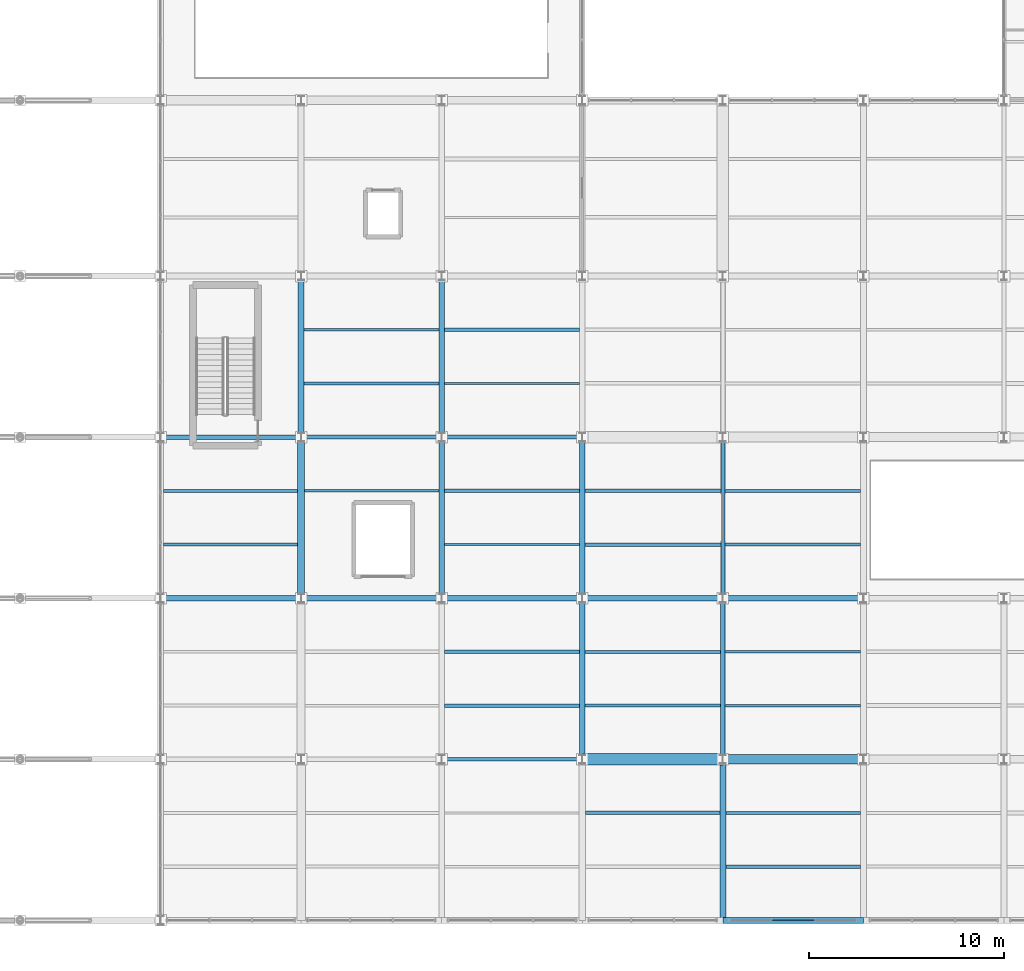
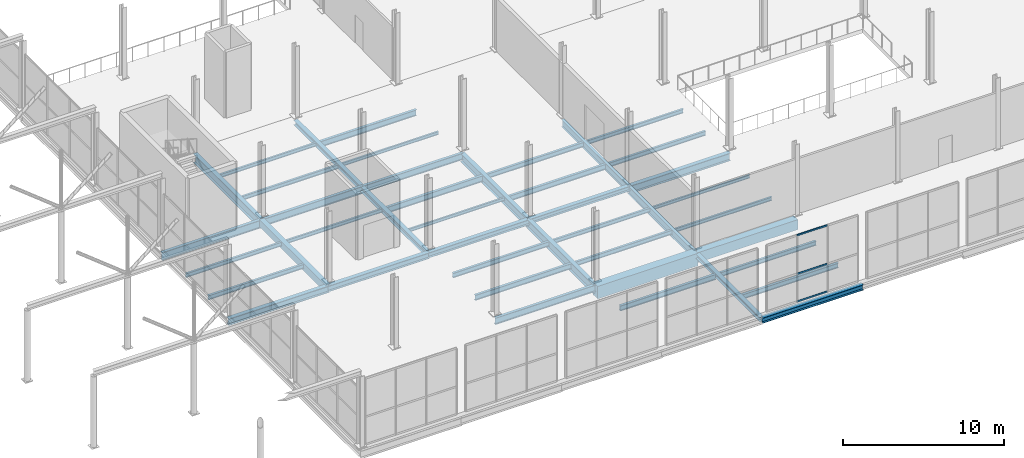
# One storey, part 32 of 147: 43 beams, 3 members, 1 element without a shape of its own.
"""IFC4 building model written with IfcOpenShell, lengths in metres."""

from ifc_helpers import new_model, si_unit, direction, frame, origin, origin_2d, place, context, subcontext, project, spatial, rectangle, hollow_rectangle, i_section, extrude, material, layer, layer_set, material_profile, profile_set, type_object, element, aggregate, save


model = new_model("IFC4")

# Units and contexts
model_context = context("Model", 3, precision=1e-05, world=origin(), true_north=direction((0.0, 1.0)))
body_context = subcontext(model_context, "Body", "Model", "MODEL_VIEW")
ifc_project = project(units=[si_unit("LENGTHUNIT", "METRE"), si_unit("AREAUNIT", "SQUARE_METRE"), si_unit("VOLUMEUNIT", "CUBIC_METRE"), si_unit("PLANEANGLEUNIT", "RADIAN"), si_unit("MASSUNIT", "GRAM", prefix="KILO")], contexts=[model_context])

# Site, building, storey
site_placement = place(None, origin())
site = spatial("IfcSite", under=ifc_project, at=site_placement, CompositionType="ELEMENT")
building_placement = place(site_placement, origin())
building = spatial("IfcBuilding", under=site, at=building_placement, Name="Sundgate Opera House", CompositionType="ELEMENT")
storey_placement = place(building_placement, frame((0.0, 0.0, 6.0)))
storey = spatial("IfcBuildingStorey", under=building, at=storey_placement, Name="L01", CompositionType="ELEMENT", Elevation=6.0)

# Beams
ifc_material_1 = material(Name="Steel S355J2", Category="steel")
ifc_material_profile_1 = material_profile(ifc_material_1, i_section(OverallWidth=0.300048828125, OverallDepth=0.330078125, WebThickness=0.009521484375, FlangeThickness=0.0166015625, at=origin_2d()), Name="HEA 340")
ifc_profile_set_1 = profile_set([ifc_material_profile_1], Name="Steel S355J2")
beam_type_1 = type_object("IfcBeamType", Name="BM-GR-HEA340", PredefinedType="BEAM", material=ifc_profile_set_1)
beam_1_placement = place(storey_placement, frame((124.199951171875, 0.0, -0.465087890625), z_axis=(0.0, 1.0, 0.0), x_axis=(-1.0, 0.0, 0.0)))
element("IfcBeam", 1, at=beam_1_placement, inside=storey, type_object=beam_type_1, Name="L01 Primary N-S Girder B1195", PredefinedType="BEAM", context=body_context, shape_type="SweptSolid", body=[
    extrude(i_section(OverallWidth=0.300048828125, OverallDepth=0.330078125, WebThickness=0.009521484375, FlangeThickness=0.0166015625, at=origin_2d()), origin(), (0.0, 0.0, 1.0), 8.25),
])
ifc_material_2 = material(Name="Steel S355J2", Category="steel")
ifc_material_profile_2 = material_profile(ifc_material_2, i_section(OverallWidth=0.300048828125, OverallDepth=0.35009765625, WebThickness=0.010009765625, FlangeThickness=0.017578125, at=origin_2d()), Name="HEA 360")
ifc_profile_set_2 = profile_set([ifc_material_profile_2], Name="Steel S355J2")
beam_type_2 = type_object("IfcBeamType", Name="BM-GR-HEA360", PredefinedType="BEAM", material=ifc_profile_set_2)
beam_2_placement = place(storey_placement, frame((109.800048828125, 24.75, -0.47509765625), z_axis=(0.0, 1.0, 0.0), x_axis=(-1.0, 0.0, 0.0)))
element("IfcBeam", 2, at=beam_2_placement, inside=storey, type_object=beam_type_2, Name="L01 Primary N-S Girder B1172", PredefinedType="BEAM", context=body_context, shape_type="SweptSolid", body=[
    extrude(i_section(OverallWidth=0.300048828125, OverallDepth=0.35009765625, WebThickness=0.010009765625, FlangeThickness=0.017578125, at=origin_2d()), origin(), (0.0, 0.0, 1.0), 8.25),
])
ifc_material_3 = material(Name="Steel S355J2", Category="steel")
ifc_material_profile_3 = material_profile(ifc_material_3, i_section(OverallWidth=0.300048828125, OverallDepth=0.389892578125, WebThickness=0.010986328125, FlangeThickness=0.01904296875, at=origin_2d()), Name="HEA 400")
ifc_profile_set_3 = profile_set([ifc_material_profile_3], Name="Steel S355J2")
beam_type_3 = type_object("IfcBeamType", Name="BM-GR-HEA400", PredefinedType="BEAM", material=ifc_profile_set_3)
beam_3_placement = place(storey_placement, frame((109.800048828125, 16.5, -0.4951171875), z_axis=(0.0, 1.0, 0.0), x_axis=(-1.0, 0.0, 0.0)))
element("IfcBeam", 3, at=beam_3_placement, inside=storey, type_object=beam_type_3, Name="L01 Primary N-S Girder B1171", PredefinedType="BEAM", context=body_context, shape_type="SweptSolid", body=[
    extrude(i_section(OverallWidth=0.300048828125, OverallDepth=0.389892578125, WebThickness=0.010986328125, FlangeThickness=0.01904296875, at=origin_2d()), origin(), (0.0, 0.0, 1.0), 8.25),
])
ifc_material_4 = material(Name="Steel S355J2", Category="steel")
ifc_material_profile_4 = material_profile(ifc_material_4, i_section(OverallWidth=0.300048828125, OverallDepth=0.590087890625, WebThickness=0.012939453125, FlangeThickness=0.02490234375, at=origin_2d()), Name="HEA 600")
ifc_profile_set_4 = profile_set([ifc_material_profile_4], Name="Steel S355J2")
beam_type_4 = type_object("IfcBeamType", Name="BM-GR-HEA600", PredefinedType="BEAM", material=ifc_profile_set_4)
beam_4_placement = place(storey_placement, frame((124.199951171875, 16.5, -0.594970703125), z_axis=(1.0, 0.0, 0.0), x_axis=(0.0, 1.0, 0.0)))
element("IfcBeam", 4, at=beam_4_placement, inside=storey, type_object=beam_type_4, Name="L01 Primary E-W Girder B1300", PredefinedType="BEAM", context=body_context, shape_type="SweptSolid", body=[
    extrude(i_section(OverallWidth=0.300048828125, OverallDepth=0.590087890625, WebThickness=0.012939453125, FlangeThickness=0.02490234375, at=origin_2d()), origin(), (0.0, 0.0, 1.0), 7.199951171875),
])
ifc_material_5 = material(Name="Steel S355J2", Category="steel")
ifc_material_profile_5 = material_profile(ifc_material_5, i_section(OverallWidth=0.300048828125, OverallDepth=0.360107421875, WebThickness=0.012451171875, FlangeThickness=0.0224609375, at=origin_2d()), Name="HEB 360")
ifc_profile_set_5 = profile_set([ifc_material_profile_5], Name="Steel S355J2")
beam_type_5 = type_object("IfcBeamType", Name="BM-GR-HEB360", PredefinedType="BEAM", material=ifc_profile_set_5)
beam_5_placement = place(storey_placement, frame((117.0, 16.5, -0.47998046875), z_axis=(1.0, 0.0, 0.0), x_axis=(0.0, 1.0, 0.0)))
element("IfcBeam", 5, at=beam_5_placement, inside=storey, type_object=beam_type_5, Name="L01 Primary E-W Girder B1299", PredefinedType="BEAM", context=body_context, shape_type="SweptSolid", body=[
    extrude(i_section(OverallWidth=0.300048828125, OverallDepth=0.360107421875, WebThickness=0.012451171875, FlangeThickness=0.0224609375, at=origin_2d()), origin(), (0.0, 0.0, 1.0), 7.199951171875),
])
ifc_material_6 = material(Name="Steel S355J2", Category="steel")
ifc_material_profile_6 = material_profile(ifc_material_6, i_section(OverallWidth=0.300048828125, OverallDepth=0.39990234375, WebThickness=0.013427734375, FlangeThickness=0.02392578125, at=origin_2d()), Name="HEB 400")
ifc_profile_set_6 = profile_set([ifc_material_profile_6], Name="Steel S355J2")
beam_type_6 = type_object("IfcBeamType", Name="BM-GR-HEB400", PredefinedType="BEAM", material=ifc_profile_set_6)
for number, where, z_axis, x_axis, name in (
    (6, (124.199951171875, 0.0, -0.5), (1.0, 0.0, 0.0), (0.0, 1.0, 0.0), "L01 Primary E-W Girder B1276"),
    (7, (109.800048828125, 16.5, -0.5), (1.0, 0.0, 0.0), (0.0, 1.0, 0.0), "L01 Primary E-W Girder B1298"),
):
    element("IfcBeam", number, at=place(storey_placement, frame(where, z_axis=z_axis, x_axis=x_axis)), inside=storey, type_object=beam_type_6, Name=name, PredefinedType="BEAM", context=body_context, shape_type="SweptSolid", body=[
        extrude(i_section(OverallWidth=0.300048828125, OverallDepth=0.39990234375, WebThickness=0.013427734375, FlangeThickness=0.02392578125, at=origin_2d()), origin(), (0.0, 0.0, 1.0), 7.199951171875),
    ])
ifc_material_7 = material(Name="Steel S355J2", Category="steel")
ifc_material_profile_7 = material_profile(ifc_material_7, i_section(OverallWidth=0.300048828125, OverallDepth=0.449951171875, WebThickness=0.013916015625, FlangeThickness=0.02587890625, at=origin_2d()), Name="HEB 450")
ifc_profile_set_7 = profile_set([ifc_material_profile_7], Name="Steel S355J2")
beam_type_7 = type_object("IfcBeamType", Name="BM-GR-HEB450", PredefinedType="BEAM", material=ifc_profile_set_7)
beam_6_placement = place(storey_placement, frame((102.60009765625, 16.5, -0.52490234375), z_axis=(1.0, 0.0, 0.0), x_axis=(0.0, 1.0, 0.0)))
element("IfcBeam", 8, at=beam_6_placement, inside=storey, type_object=beam_type_7, Name="L01 Primary E-W Girder B1297", PredefinedType="BEAM", context=body_context, shape_type="SweptSolid", body=[
    extrude(i_section(OverallWidth=0.300048828125, OverallDepth=0.449951171875, WebThickness=0.013916015625, FlangeThickness=0.02587890625, at=origin_2d()), origin(), (0.0, 0.0, 1.0), 7.199951171875),
])
ifc_material_8 = material(Name="Steel S355J2", Category="steel")
ifc_material_profile_8 = material_profile(ifc_material_8, i_section(OverallWidth=0.300048828125, OverallDepth=0.5, WebThickness=0.014404296875, FlangeThickness=0.028076171875, at=origin_2d()), Name="HEB 500")
ifc_profile_set_8 = profile_set([ifc_material_profile_8], Name="Steel S355J2")
beam_type_8 = type_object("IfcBeamType", Name="BM-GR-HEB500", PredefinedType="BEAM", material=ifc_profile_set_8)
beam_7_placement = place(storey_placement, frame((95.39990234375, 16.5, -0.550048828125), z_axis=(1.0, 0.0, 0.0), x_axis=(0.0, 1.0, 0.0)))
element("IfcBeam", 9, at=beam_7_placement, inside=storey, type_object=beam_type_8, Name="L01 Primary E-W Girder B1296", PredefinedType="BEAM", context=body_context, shape_type="SweptSolid", body=[
    extrude(i_section(OverallWidth=0.300048828125, OverallDepth=0.5, WebThickness=0.014404296875, FlangeThickness=0.028076171875, at=origin_2d()), origin(), (0.0, 0.0, 1.0), 7.2001953125),
])
ifc_material_9 = material(Name="Steel S355J2", Category="steel")
ifc_material_profile_9 = material_profile(ifc_material_9, i_section(OverallWidth=0.300048828125, OverallDepth=0.64990234375, WebThickness=0.01611328125, FlangeThickness=0.031005859375, at=origin_2d()), Name="HEB 650")
ifc_profile_set_9 = profile_set([ifc_material_profile_9], Name="Steel S355J2")
beam_type_9 = type_object("IfcBeamType", Name="BM-GR-HEB650", PredefinedType="BEAM", material=ifc_profile_set_9)
beam_8_placement = place(storey_placement, frame((117.0, 16.5, -0.625), z_axis=(0.0, 1.0, 0.0), x_axis=(-1.0, 0.0, 0.0)))
element("IfcBeam", 10, at=beam_8_placement, inside=storey, type_object=beam_type_9, Name="L01 Primary N-S Girder B1183", PredefinedType="BEAM", context=body_context, shape_type="SweptSolid", body=[
    extrude(i_section(OverallWidth=0.300048828125, OverallDepth=0.64990234375, WebThickness=0.01611328125, FlangeThickness=0.031005859375, at=origin_2d()), origin(), (0.0, 0.0, 1.0), 8.25),
])
ifc_material_10 = material(Name="Steel S355J2", Category="steel")
ifc_material_profile_10 = material_profile(ifc_material_10, i_section(OverallWidth=0.300048828125, OverallDepth=0.699951171875, WebThickness=0.01708984375, FlangeThickness=0.031982421875, at=origin_2d()), Name="HEB 700")
ifc_profile_set_10 = profile_set([ifc_material_profile_10], Name="Steel S355J2")
beam_type_10 = type_object("IfcBeamType", Name="BM-GR-HEB700", PredefinedType="BEAM", material=ifc_profile_set_10)
for number, where, z_axis, x_axis, name in (
    (11, (102.60009765625, 24.75, -0.64990234375), (0.0, 1.0, 0.0), (-1.0, 0.0, 0.0), "L01 Primary N-S Girder B1160"),
    (12, (117.0, 8.25, -0.64990234375), (0.0, 1.0, 0.0), (-1.0, 0.0, 0.0), "L01 Primary N-S Girder B1182"),
):
    element("IfcBeam", number, at=place(storey_placement, frame(where, z_axis=z_axis, x_axis=x_axis)), inside=storey, type_object=beam_type_10, Name=name, PredefinedType="BEAM", context=body_context, shape_type="SweptSolid", body=[
        extrude(i_section(OverallWidth=0.300048828125, OverallDepth=0.699951171875, WebThickness=0.01708984375, FlangeThickness=0.031982421875, at=origin_2d()), origin(), (0.0, 0.0, 1.0), 8.25),
    ])
ifc_material_11 = material(Name="Steel S355J2", Category="steel")
ifc_material_profile_11 = material_profile(ifc_material_11, i_section(OverallWidth=0.199951171875, OverallDepth=0.5, WebThickness=0.01025390625, FlangeThickness=0.01611328125, at=origin_2d()), Name="IPE 500")
ifc_profile_set_11 = profile_set([ifc_material_profile_11], Name="Steel S355J2")
beam_type_11 = type_object("IfcBeamType", Name="BM-GR-IPE500", PredefinedType="BEAM", material=ifc_profile_set_11)
for number, where, z_axis, x_axis, name in (
    (13, (109.800048828125, 8.25, -0.550048828125), (1.0, 0.0, 0.0), (0.0, 1.0, 0.0), "L01 Primary E-W Girder B1286"),
    (14, (109.800048828125, 24.75, -0.550048828125), (1.0, 0.0, 0.0), (0.0, 1.0, 0.0), "L01 Primary E-W Girder B1308"),
):
    element("IfcBeam", number, at=place(storey_placement, frame(where, z_axis=z_axis, x_axis=x_axis)), inside=storey, type_object=beam_type_11, Name=name, PredefinedType="BEAM", context=body_context, shape_type="SweptSolid", body=[
        extrude(i_section(OverallWidth=0.199951171875, OverallDepth=0.5, WebThickness=0.01025390625, FlangeThickness=0.01611328125, at=origin_2d()), origin(), (0.0, 0.0, 1.0), 7.199951171875),
    ])
ifc_material_12 = material(Name="Steel S355J2", Category="steel")
ifc_material_profile_12 = material_profile(ifc_material_12, i_section(OverallWidth=0.2099609375, OverallDepth=0.550048828125, WebThickness=0.010986328125, FlangeThickness=0.01708984375, at=origin_2d()), Name="IPE 550")
ifc_profile_set_12 = profile_set([ifc_material_profile_12], Name="Steel S355J2")
beam_type_12 = type_object("IfcBeamType", Name="BM-GR-IPE550", PredefinedType="BEAM", material=ifc_profile_set_12)
beam_9_placement = place(storey_placement, frame((124.199951171875, 16.5, -0.574951171875), z_axis=(0.0, 1.0, 0.0), x_axis=(-1.0, 0.0, 0.0)))
element("IfcBeam", 15, at=beam_9_placement, inside=storey, type_object=beam_type_12, Name="L01 Primary N-S Girder B1197", PredefinedType="BEAM", context=body_context, shape_type="SweptSolid", body=[
    extrude(i_section(OverallWidth=0.2099609375, OverallDepth=0.550048828125, WebThickness=0.010986328125, FlangeThickness=0.01708984375, at=origin_2d()), origin(), (0.0, 0.0, 1.0), 8.25),
])
beam_10_placement = place(storey_placement, frame((102.60009765625, 24.75, -0.574951171875), z_axis=(1.0, 0.0, 0.0), x_axis=(0.0, 1.0, 0.0)))
element("IfcBeam", 16, at=beam_10_placement, inside=storey, type_object=beam_type_12, Name="L01 Primary E-W Girder B1307", PredefinedType="BEAM", context=body_context, shape_type="SweptSolid", body=[
    extrude(i_section(OverallWidth=0.2099609375, OverallDepth=0.550048828125, WebThickness=0.010986328125, FlangeThickness=0.01708984375, at=origin_2d()), origin(), (0.0, 0.0, 1.0), 7.199951171875),
])
ifc_material_13 = material(Name="Steel S355J2", Category="steel")
ifc_material_profile_13 = material_profile(ifc_material_13, i_section(OverallWidth=0.219970703125, OverallDepth=0.60009765625, WebThickness=0.011962890625, FlangeThickness=0.01904296875, at=origin_2d()), Name="IPE 600")
ifc_profile_set_13 = profile_set([ifc_material_profile_13], Name="Steel S355J2")
beam_type_13 = type_object("IfcBeamType", Name="BM-GR-IPE600", PredefinedType="BEAM", material=ifc_profile_set_13)
beam_11_placement = place(storey_placement, frame((124.199951171875, 8.25, -0.60009765625), z_axis=(0.0, 1.0, 0.0), x_axis=(-1.0, 0.0, 0.0)))
element("IfcBeam", 17, at=beam_11_placement, inside=storey, type_object=beam_type_13, Name="L01 Primary N-S Girder B1196", PredefinedType="BEAM", context=body_context, shape_type="SweptSolid", body=[
    extrude(i_section(OverallWidth=0.219970703125, OverallDepth=0.60009765625, WebThickness=0.011962890625, FlangeThickness=0.01904296875, at=origin_2d()), origin(), (0.0, 0.0, 1.0), 8.25),
])
beam_12_placement = place(storey_placement, frame((95.39990234375, 24.75, -0.60009765625), z_axis=(1.0, 0.0, 0.0), x_axis=(0.0, 1.0, 0.0)))
element("IfcBeam", 18, at=beam_12_placement, inside=storey, type_object=beam_type_13, Name="L01 Primary E-W Girder B1306", PredefinedType="BEAM", context=body_context, shape_type="SweptSolid", body=[
    extrude(i_section(OverallWidth=0.219970703125, OverallDepth=0.60009765625, WebThickness=0.011962890625, FlangeThickness=0.01904296875, at=origin_2d()), origin(), (0.0, 0.0, 1.0), 7.2001953125),
])
ifc_material_14 = material(Name="Steel S355J2", Category="steel")
ifc_material_profile_14 = material_profile(ifc_material_14, i_section(OverallWidth=0.1201171875, OverallDepth=0.239990234375, WebThickness=0.006103515625, FlangeThickness=0.009765625, at=origin_2d()), Name="IPE 240")
ifc_profile_set_14 = profile_set([ifc_material_profile_14], Name="Steel S355J2")
beam_type_14 = type_object("IfcBeamType", Name="BM-JS-IPE240", PredefinedType="JOIST", material=ifc_profile_set_14)
beam_13_placement = place(storey_placement, frame((124.31005859375, 13.75, -0.419921875), z_axis=(1.0, 0.0, 0.0), x_axis=(0.0, 1.0, 0.0)))
element("IfcBeam", 19, at=beam_13_placement, inside=storey, type_object=beam_type_14, Name="L01 Secondary Floor Joist B1511", PredefinedType="JOIST", context=body_context, shape_type="SweptSolid", body=[
    extrude(i_section(OverallWidth=0.1201171875, OverallDepth=0.239990234375, WebThickness=0.006103515625, FlangeThickness=0.009765625, at=origin_2d()), origin(), (0.0, 0.0, 1.0), 6.93994140625),
])
for number, where, z_axis, x_axis, name in (
    (20, (109.949951171875, 19.25, -0.419921875), (1.0, 0.0, 0.0), (0.0, 1.0, 0.0), "L01 Secondary Floor Joist B1525"),
    (21, (109.949951171875, 27.5, -0.419921875), (1.0, 0.0, 0.0), (0.0, 1.0, 0.0), "L01 Secondary Floor Joist B1539"),
):
    element("IfcBeam", number, at=place(storey_placement, frame(where, z_axis=z_axis, x_axis=x_axis)), inside=storey, type_object=beam_type_14, Name=name, PredefinedType="JOIST", context=body_context, shape_type="SweptSolid", body=[
        extrude(i_section(OverallWidth=0.1201171875, OverallDepth=0.239990234375, WebThickness=0.006103515625, FlangeThickness=0.009765625, at=origin_2d()), origin(), (0.0, 0.0, 1.0), 6.900146484375),
    ])
ifc_material_15 = material(Name="Steel S355J2", Category="steel")
ifc_material_profile_15 = material_profile(ifc_material_15, i_section(OverallWidth=0.135009765625, OverallDepth=0.27001953125, WebThickness=0.006591796875, FlangeThickness=0.01025390625, at=origin_2d()), Name="IPE 270")
ifc_profile_set_15 = profile_set([ifc_material_profile_15], Name="Steel S355J2")
beam_type_15 = type_object("IfcBeamType", Name="BM-JS-IPE270", PredefinedType="JOIST", material=ifc_profile_set_15)
beam_14_placement = place(storey_placement, frame((124.31005859375, 11.0, -0.43505859375), z_axis=(1.0, 0.0, 0.0), x_axis=(0.0, 1.0, 0.0)))
element("IfcBeam", 22, at=beam_14_placement, inside=storey, type_object=beam_type_15, Name="L01 Secondary Floor Joist B1510", PredefinedType="JOIST", context=body_context, shape_type="SweptSolid", body=[
    extrude(i_section(OverallWidth=0.135009765625, OverallDepth=0.27001953125, WebThickness=0.006591796875, FlangeThickness=0.01025390625, at=origin_2d()), origin(), (0.0, 0.0, 1.0), 6.93994140625),
])
beam_15_placement = place(storey_placement, frame((102.77490234375, 22.0, -0.43505859375), z_axis=(1.0, 0.0, 0.0), x_axis=(0.0, 1.0, 0.0)))
element("IfcBeam", 23, at=beam_15_placement, inside=storey, type_object=beam_type_15, Name="L01 Secondary Floor Joist B1524", PredefinedType="JOIST", context=body_context, shape_type="SweptSolid", body=[
    extrude(i_section(OverallWidth=0.135009765625, OverallDepth=0.27001953125, WebThickness=0.006591796875, FlangeThickness=0.01025390625, at=origin_2d()), origin(), (0.0, 0.0, 1.0), 6.875),
])
beam_16_placement = place(storey_placement, frame((102.75, 30.25, -0.43505859375), z_axis=(1.0, 0.0, 0.0), x_axis=(0.0, 1.0, 0.0)))
element("IfcBeam", 24, at=beam_16_placement, inside=storey, type_object=beam_type_15, Name="L01 Secondary Floor Joist B1538", PredefinedType="JOIST", context=body_context, shape_type="SweptSolid", body=[
    extrude(i_section(OverallWidth=0.135009765625, OverallDepth=0.27001953125, WebThickness=0.006591796875, FlangeThickness=0.01025390625, at=origin_2d()), origin(), (0.0, 0.0, 1.0), 6.89990234375),
])
ifc_material_16 = material(Name="Steel S355J2", Category="steel")
ifc_material_profile_16 = material_profile(ifc_material_16, i_section(OverallWidth=0.14990234375, OverallDepth=0.300048828125, WebThickness=0.007080078125, FlangeThickness=0.0107421875, at=origin_2d()), Name="IPE 300")
ifc_profile_set_16 = profile_set([ifc_material_profile_16], Name="Steel S355J2")
beam_type_16 = type_object("IfcBeamType", Name="BM-JS-IPE300", PredefinedType="JOIST", material=ifc_profile_set_16)
beam_17_placement = place(storey_placement, frame((117.14990234375, 13.75, -0.449951171875), z_axis=(1.0, 0.0, 0.0), x_axis=(0.0, 1.0, 0.0)))
element("IfcBeam", 25, at=beam_17_placement, inside=storey, type_object=beam_type_16, Name="L01 Secondary Floor Joist B1509", PredefinedType="JOIST", context=body_context, shape_type="SweptSolid", body=[
    extrude(i_section(OverallWidth=0.14990234375, OverallDepth=0.300048828125, WebThickness=0.007080078125, FlangeThickness=0.0107421875, at=origin_2d()), origin(), (0.0, 0.0, 1.0), 6.940185546875),
])
beam_18_placement = place(storey_placement, frame((95.550048828125, 22.0, -0.449951171875), z_axis=(1.0, 0.0, 0.0), x_axis=(0.0, 1.0, 0.0)))
element("IfcBeam", 26, at=beam_18_placement, inside=storey, type_object=beam_type_16, Name="L01 Secondary Floor Joist B1523", PredefinedType="JOIST", context=body_context, shape_type="SweptSolid", body=[
    extrude(i_section(OverallWidth=0.14990234375, OverallDepth=0.300048828125, WebThickness=0.007080078125, FlangeThickness=0.0107421875, at=origin_2d()), origin(), (0.0, 0.0, 1.0), 6.875),
])
beam_19_placement = place(storey_placement, frame((124.304931640625, 22.0, -0.449951171875), z_axis=(1.0, 0.0, 0.0), x_axis=(0.0, 1.0, 0.0)))
element("IfcBeam", 27, at=beam_19_placement, inside=storey, type_object=beam_type_16, Name="L01 Secondary Floor Joist B1530", PredefinedType="JOIST", context=body_context, shape_type="SweptSolid", body=[
    extrude(i_section(OverallWidth=0.14990234375, OverallDepth=0.300048828125, WebThickness=0.007080078125, FlangeThickness=0.0107421875, at=origin_2d()), origin(), (0.0, 0.0, 1.0), 6.945068359375),
])
beam_20_placement = place(storey_placement, frame((102.75, 27.5, -0.449951171875), z_axis=(1.0, 0.0, 0.0), x_axis=(0.0, 1.0, 0.0)))
element("IfcBeam", 28, at=beam_20_placement, inside=storey, type_object=beam_type_16, Name="L01 Secondary Floor Joist B1537", PredefinedType="JOIST", context=body_context, shape_type="SweptSolid", body=[
    extrude(i_section(OverallWidth=0.14990234375, OverallDepth=0.300048828125, WebThickness=0.007080078125, FlangeThickness=0.0107421875, at=origin_2d()), origin(), (0.0, 0.0, 1.0), 6.89990234375),
])
ifc_material_17 = material(Name="Steel S355J2", Category="steel")
ifc_material_profile_17 = material_profile(ifc_material_17, i_section(OverallWidth=0.159912109375, OverallDepth=0.330078125, WebThickness=0.007568359375, FlangeThickness=0.011474609375, at=origin_2d()), Name="IPE 330")
ifc_profile_set_17 = profile_set([ifc_material_profile_17], Name="Steel S355J2")
beam_type_17 = type_object("IfcBeamType", Name="BM-JS-IPE330", PredefinedType="JOIST", material=ifc_profile_set_17)
beam_21_placement = place(storey_placement, frame((124.35009765625, 5.5, -0.465087890625), z_axis=(1.0, 0.0, 0.0), x_axis=(0.0, 1.0, 0.0)))
element("IfcBeam", 29, at=beam_21_placement, inside=storey, type_object=beam_type_17, Name="L01 Secondary Floor Joist B1487", PredefinedType="JOIST", context=body_context, shape_type="SweptSolid", body=[
    extrude(i_section(OverallWidth=0.159912109375, OverallDepth=0.330078125, WebThickness=0.007568359375, FlangeThickness=0.011474609375, at=origin_2d()), origin(), (0.0, 0.0, 1.0), 6.89990234375),
])
beam_22_placement = place(storey_placement, frame((117.14990234375, 11.0, -0.465087890625), z_axis=(1.0, 0.0, 0.0), x_axis=(0.0, 1.0, 0.0)))
element("IfcBeam", 30, at=beam_22_placement, inside=storey, type_object=beam_type_17, Name="L01 Secondary Floor Joist B1508", PredefinedType="JOIST", context=body_context, shape_type="SweptSolid", body=[
    extrude(i_section(OverallWidth=0.159912109375, OverallDepth=0.330078125, WebThickness=0.007568359375, FlangeThickness=0.011474609375, at=origin_2d()), origin(), (0.0, 0.0, 1.0), 6.940185546875),
])
beam_23_placement = place(storey_placement, frame((95.550048828125, 19.25, -0.465087890625), z_axis=(1.0, 0.0, 0.0), x_axis=(0.0, 1.0, 0.0)))
element("IfcBeam", 31, at=beam_23_placement, inside=storey, type_object=beam_type_17, Name="L01 Secondary Floor Joist B1522", PredefinedType="JOIST", context=body_context, shape_type="SweptSolid", body=[
    extrude(i_section(OverallWidth=0.159912109375, OverallDepth=0.330078125, WebThickness=0.007568359375, FlangeThickness=0.011474609375, at=origin_2d()), origin(), (0.0, 0.0, 1.0), 6.875),
])
beam_24_placement = place(storey_placement, frame((124.304931640625, 19.25, -0.465087890625), z_axis=(1.0, 0.0, 0.0), x_axis=(0.0, 1.0, 0.0)))
element("IfcBeam", 32, at=beam_24_placement, inside=storey, type_object=beam_type_17, Name="L01 Secondary Floor Joist B1529", PredefinedType="JOIST", context=body_context, shape_type="SweptSolid", body=[
    extrude(i_section(OverallWidth=0.159912109375, OverallDepth=0.330078125, WebThickness=0.007568359375, FlangeThickness=0.011474609375, at=origin_2d()), origin(), (0.0, 0.0, 1.0), 6.945068359375),
])
ifc_material_18 = material(Name="Steel S355J2", Category="steel")
ifc_material_profile_18 = material_profile(ifc_material_18, i_section(OverallWidth=0.169921875, OverallDepth=0.360107421875, WebThickness=0.008056640625, FlangeThickness=0.0126953125, at=origin_2d()), Name="IPE 360")
ifc_profile_set_18 = profile_set([ifc_material_profile_18], Name="Steel S355J2")
beam_type_18 = type_object("IfcBeamType", Name="BM-JS-IPE360", PredefinedType="JOIST", material=ifc_profile_set_18)
beam_25_placement = place(storey_placement, frame((124.35009765625, 2.75, -0.47998046875), z_axis=(1.0, 0.0, 0.0), x_axis=(0.0, 1.0, 0.0)))
element("IfcBeam", 33, at=beam_25_placement, inside=storey, type_object=beam_type_18, Name="L01 Secondary Floor Joist B1486", PredefinedType="JOIST", context=body_context, shape_type="SweptSolid", body=[
    extrude(i_section(OverallWidth=0.169921875, OverallDepth=0.360107421875, WebThickness=0.008056640625, FlangeThickness=0.0126953125, at=origin_2d()), origin(), (0.0, 0.0, 1.0), 6.89990234375),
])
beam_26_placement = place(storey_placement, frame((109.949951171875, 13.75, -0.47998046875), z_axis=(1.0, 0.0, 0.0), x_axis=(0.0, 1.0, 0.0)))
element("IfcBeam", 34, at=beam_26_placement, inside=storey, type_object=beam_type_18, Name="L01 Secondary Floor Joist B1507", PredefinedType="JOIST", context=body_context, shape_type="SweptSolid", body=[
    extrude(i_section(OverallWidth=0.169921875, OverallDepth=0.360107421875, WebThickness=0.008056640625, FlangeThickness=0.0126953125, at=origin_2d()), origin(), (0.0, 0.0, 1.0), 6.900146484375),
])
beam_27_placement = place(storey_placement, frame((117.14990234375, 22.0, -0.47998046875), z_axis=(1.0, 0.0, 0.0), x_axis=(0.0, 1.0, 0.0)))
element("IfcBeam", 35, at=beam_27_placement, inside=storey, type_object=beam_type_18, Name="L01 Secondary Floor Joist B1528", PredefinedType="JOIST", context=body_context, shape_type="SweptSolid", body=[
    extrude(i_section(OverallWidth=0.169921875, OverallDepth=0.360107421875, WebThickness=0.008056640625, FlangeThickness=0.0126953125, at=origin_2d()), origin(), (0.0, 0.0, 1.0), 6.945068359375),
])
ifc_material_19 = material(Name="Steel S355J2", Category="steel")
ifc_material_profile_19 = material_profile(ifc_material_19, i_section(OverallWidth=0.179931640625, OverallDepth=0.39990234375, WebThickness=0.008544921875, FlangeThickness=0.013427734375, at=origin_2d()), Name="IPE 400")
ifc_profile_set_19 = profile_set([ifc_material_profile_19], Name="Steel S355J2")
beam_type_19 = type_object("IfcBeamType", Name="BM-JS-IPE400", PredefinedType="JOIST", material=ifc_profile_set_19)
beam_28_placement = place(storey_placement, frame((117.175048828125, 5.5, -0.5), z_axis=(1.0, 0.0, 0.0), x_axis=(0.0, 1.0, 0.0)))
element("IfcBeam", 36, at=beam_28_placement, inside=storey, type_object=beam_type_19, Name="L01 Secondary Floor Joist B1485", PredefinedType="JOIST", context=body_context, shape_type="SweptSolid", body=[
    extrude(i_section(OverallWidth=0.179931640625, OverallDepth=0.39990234375, WebThickness=0.008544921875, FlangeThickness=0.013427734375, at=origin_2d()), origin(), (0.0, 0.0, 1.0), 6.875),
])
beam_29_placement = place(storey_placement, frame((109.949951171875, 11.0, -0.5), z_axis=(1.0, 0.0, 0.0), x_axis=(0.0, 1.0, 0.0)))
element("IfcBeam", 37, at=beam_29_placement, inside=storey, type_object=beam_type_19, Name="L01 Secondary Floor Joist B1506", PredefinedType="JOIST", context=body_context, shape_type="SweptSolid", body=[
    extrude(i_section(OverallWidth=0.179931640625, OverallDepth=0.39990234375, WebThickness=0.008544921875, FlangeThickness=0.013427734375, at=origin_2d()), origin(), (0.0, 0.0, 1.0), 6.900146484375),
])
beam_30_placement = place(storey_placement, frame((117.14990234375, 19.25, -0.5), z_axis=(1.0, 0.0, 0.0), x_axis=(0.0, 1.0, 0.0)))
element("IfcBeam", 38, at=beam_30_placement, inside=storey, type_object=beam_type_19, Name="L01 Secondary Floor Joist B1527", PredefinedType="JOIST", context=body_context, shape_type="SweptSolid", body=[
    extrude(i_section(OverallWidth=0.179931640625, OverallDepth=0.39990234375, WebThickness=0.008544921875, FlangeThickness=0.013427734375, at=origin_2d()), origin(), (0.0, 0.0, 1.0), 6.945068359375),
])
ifc_material_20 = material(Name="Steel S355J2", Category="steel")
ifc_material_profile_20 = material_profile(ifc_material_20, i_section(OverallWidth=0.18994140625, OverallDepth=0.449951171875, WebThickness=0.009521484375, FlangeThickness=0.0146484375, at=origin_2d()), Name="IPE 450")
ifc_profile_set_20 = profile_set([ifc_material_profile_20], Name="Steel S355J2")
beam_type_20 = type_object("IfcBeamType", Name="BM-JS-IPE450", PredefinedType="JOIST", material=ifc_profile_set_20)
for number, where, z_axis, x_axis, name in (
    (39, (109.949951171875, 22.0, -0.52490234375), (1.0, 0.0, 0.0), (0.0, 1.0, 0.0), "L01 Secondary Floor Joist B1526"),
    (40, (109.949951171875, 30.25, -0.52490234375), (1.0, 0.0, 0.0), (0.0, 1.0, 0.0), "L01 Secondary Floor Joist B1540"),
):
    element("IfcBeam", number, at=place(storey_placement, frame(where, z_axis=z_axis, x_axis=x_axis)), inside=storey, type_object=beam_type_20, Name=name, PredefinedType="JOIST", context=body_context, shape_type="SweptSolid", body=[
        extrude(i_section(OverallWidth=0.18994140625, OverallDepth=0.449951171875, WebThickness=0.009521484375, FlangeThickness=0.0146484375, at=origin_2d()), origin(), (0.0, 0.0, 1.0), 6.900146484375),
    ])
ifc_material_21 = material(Name="Concrete C35/45", Category="concrete")
ifc_material_profile_21 = material_profile(ifc_material_21, rectangle(XDim=0.35009765625, YDim=0.550048828125, at=origin_2d()), Name="RC 350x550")
ifc_profile_set_21 = profile_set([ifc_material_profile_21], Name="Concrete C35/45")
beam_type_21 = type_object("IfcBeamType", Name="BM-RC-350x550", PredefinedType="BEAM", material=ifc_profile_set_21)
beam_31_placement = place(storey_placement, frame((102.60009765625, 16.5, -0.574951171875), z_axis=(0.0, 1.0, 0.0), x_axis=(-1.0, 0.0, 0.0)))
element("IfcBeam", 41, at=beam_31_placement, inside=storey, type_object=beam_type_21, Name="L01 Primary N-S Girder B1159", PredefinedType="BEAM", context=body_context, shape_type="SweptSolid", body=[
    extrude(rectangle(XDim=0.35009765625, YDim=0.550048828125, at=origin_2d()), origin(), (0.0, 0.0, 1.0), 8.25),
])
ifc_material_22 = material(Name="Concrete C40/50", Category="concrete")
ifc_material_profile_22 = material_profile(ifc_material_22, rectangle(XDim=0.5, YDim=0.75, at=origin_2d()), Name="RC 500x750")
ifc_profile_set_22 = profile_set([ifc_material_profile_22], Name="Concrete C40/50")
beam_type_22 = type_object("IfcBeamType", Name="BM-RC-500x750", PredefinedType="BEAM", material=ifc_profile_set_22)
beam_32_placement = place(storey_placement, frame((124.199951171875, 8.25, -0.675048828125), z_axis=(1.0, 0.0, 0.0), x_axis=(0.0, 1.0, 0.0)))
element("IfcBeam", 42, at=beam_32_placement, inside=storey, type_object=beam_type_22, Name="L01 Primary E-W Girder B1288", PredefinedType="BEAM", context=body_context, shape_type="SweptSolid", body=[
    extrude(rectangle(XDim=0.5, YDim=0.75, at=origin_2d()), origin(), (0.0, 0.0, 1.0), 7.199951171875),
])
ifc_material_23 = material(Name="Concrete C40/50", Category="concrete")
ifc_material_profile_23 = material_profile(ifc_material_23, rectangle(XDim=0.60009765625, YDim=0.949951171875, at=origin_2d()), Name="RC 600x950")
ifc_profile_set_23 = profile_set([ifc_material_profile_23], Name="Concrete C40/50")
beam_type_23 = type_object("IfcBeamType", Name="BM-RC-600x950", PredefinedType="BEAM", material=ifc_profile_set_23)
beam_33_placement = place(storey_placement, frame((117.0, 8.25, -0.77490234375), z_axis=(1.0, 0.0, 0.0), x_axis=(0.0, 1.0, 0.0)))
element("IfcBeam", 43, at=beam_33_placement, inside=storey, type_object=beam_type_23, Name="L01 Primary E-W Girder B1287", PredefinedType="BEAM", context=body_context, shape_type="SweptSolid", body=[
    extrude(rectangle(XDim=0.60009765625, YDim=0.949951171875, at=origin_2d()), origin(), (0.0, 0.0, 1.0), 7.199951171875),
])

# Curtain wall, members
ifc_material_24 = material(Name="Anodized aluminium and low-iron glass", Category="aluminium")
ifc_layer = layer(ifc_material_24, 0.14990234375)
ifc_layer_set = layer_set([ifc_layer], Name="Anodized aluminium and low-iron glass")
curtain_wall_type = type_object("IfcCurtainWallType", Name="CW-WORKSHOP-DARK", PredefinedType="NOTDEFINED", material=ifc_layer_set)
curtain_wall_placement = place(storey_placement, origin())
curtain_wall = element("IfcCurtainWall", 44, at=curtain_wall_placement, inside=storey, type_object=curtain_wall_type, Name="L01 Curtain Wall CW139", PredefinedType="NOTDEFINED")
ifc_material_25 = material(Name="Anodized aluminium EN AW-6063", Category="aluminium")
ifc_material_profile_24 = material_profile(ifc_material_25, hollow_rectangle(XDim=0.054931640625, YDim=0.1201171875, WallThickness=0.00390625, at=origin_2d()), Name="CWT 120x55x4")
ifc_profile_set_24 = profile_set([ifc_material_profile_24], Name="Anodized aluminium EN AW-6063")
member_type = type_object("IfcMemberType", Name="CWT-ALU-120x55", PredefinedType="USERDEFINED", material=ifc_profile_set_24)
member_1_placement = place(storey_placement, frame((128.8916015625, 0.0, 0.0), z_axis=(-1.0, 0.0, 0.0), x_axis=(0.0, -1.0, 0.0)))
member_1 = element("IfcMember", 45, at=member_1_placement, type_object=member_type, Name="CW139 Transom 4", ObjectType="TRANSOM", PredefinedType="USERDEFINED", context=body_context, shape_type="SweptSolid", body=[
    extrude(hollow_rectangle(XDim=0.054931640625, YDim=0.1201171875, WallThickness=0.00390625, at=origin_2d()), origin(), (0.0, 0.0, 1.0), 2.183349609375),
])
member_2_placement = place(storey_placement, frame((128.8916015625, 0.0, 2.10009765625), z_axis=(-1.0, 0.0, 0.0), x_axis=(0.0, -1.0, 0.0)))
member_2 = element("IfcMember", 46, at=member_2_placement, type_object=member_type, Name="CW139 Transom 5", ObjectType="TRANSOM", PredefinedType="USERDEFINED", context=body_context, shape_type="SweptSolid", body=[
    extrude(hollow_rectangle(XDim=0.054931640625, YDim=0.1201171875, WallThickness=0.00390625, at=origin_2d()), origin(), (0.0, 0.0, 1.0), 2.183349609375),
])
member_3_placement = place(storey_placement, frame((128.8916015625, 0.0, 5.014892578125), z_axis=(-1.0, 0.0, 0.0), x_axis=(0.0, -1.0, 0.0)))
member_3 = element("IfcMember", 47, at=member_3_placement, type_object=member_type, Name="CW139 Transom 6", ObjectType="TRANSOM", PredefinedType="USERDEFINED", context=body_context, shape_type="SweptSolid", body=[
    extrude(hollow_rectangle(XDim=0.054931640625, YDim=0.1201171875, WallThickness=0.00390625, at=origin_2d()), origin(), (0.0, 0.0, 1.0), 2.183349609375),
])
aggregate(curtain_wall, [member_1, member_2, member_3])

save(model, "model.ifc")
